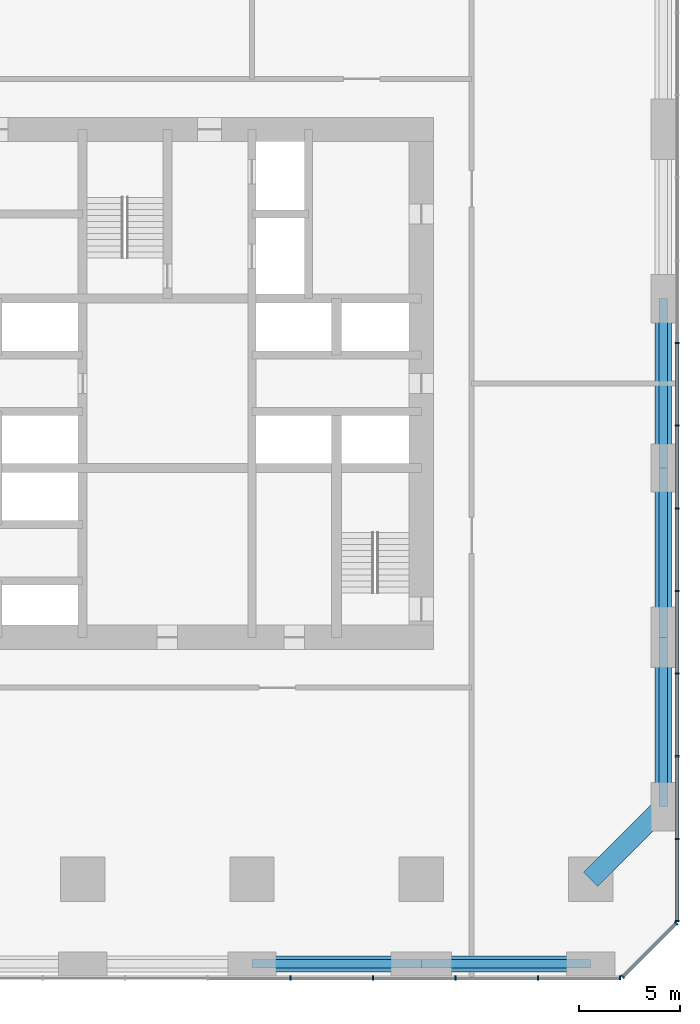
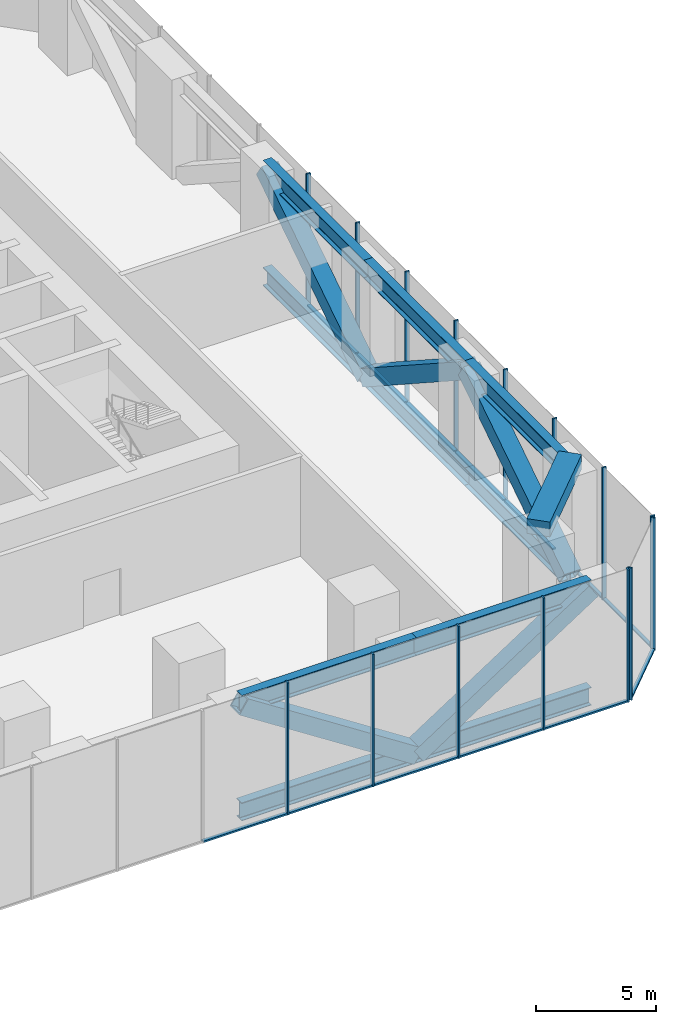
# One storey, part 4 of 10: 43 members, 1 beam, 3 elements without a shape of their own.
"""IFC4 building model written with IfcOpenShell, lengths in metres."""

import ifcopenshell
import ifcopenshell.guid

model = None  # the IFC model being written
_history = None  # IfcOwnerHistory: only IFC2X3 demands one
_inside = {}  # id of a spatial element -> (the spatial element, [elements in it])
_under = {}  # id of a project, library or spatial element -> (it, [spatial elements below it])
_declared = {}  # id of a project -> (the project, [libraries it declares])
_typed = {}  # id of a type object -> (the type object, [elements of that type])
_made_of = {}  # id of a material, layer set ... -> (it, [elements and type objects made of it])


def new_model(schema):
    """Start an empty IFC model of exactly this schema.

    Asked for "IFC4X3", IfcOpenShell would pick the latest addendum, in which some entities
    have other attributes; the version numbers below select the first issue.
    IFC2X3 requires an IfcOwnerHistory on every rooted entity: one is made here for all.
    """
    global model, _history
    if schema == "IFC4X3":
        model = ifcopenshell.file(schema_version=(4, 3, 0, 0))
    else:
        model = ifcopenshell.file(schema=schema)
    _inside.clear()
    _under.clear()
    _declared.clear()
    _typed.clear()
    _made_of.clear()
    _history = None
    if model.schema == "IFC2X3":
        org = make("IfcOrganization", Name="unknown")
        user = make(
            "IfcPersonAndOrganization",
            ThePerson=make("IfcPerson", FamilyName="unknown"),
            TheOrganization=org,
        )
        app = make(
            "IfcApplication",
            ApplicationDeveloper=org,
            Version="unknown",
            ApplicationFullName="unknown",
            ApplicationIdentifier="unknown",
        )
        _history = make(
            "IfcOwnerHistory",
            OwningUser=user,
            OwningApplication=app,
            ChangeAction="ADDED",
            CreationDate=0,
        )
    return model


def make(cls, **values):
    """One entity of the class cls with the attributes given. An attribute that is None is left unset."""
    return model.create_entity(
        cls, **{name: value for name, value in values.items() if value is not None}
    )


def rooted(cls, **values):
    """An entity with a GlobalId (a new one), such as an element, a storey or a relation."""
    return make(cls, GlobalId=ifcopenshell.guid.new(), OwnerHistory=_history, **values)


def si_unit(unit_type, name, prefix=None):
    """IfcSIUnit, for example si_unit("LENGTHUNIT", "METRE", prefix="MILLI")."""
    return make("IfcSIUnit", UnitType=unit_type, Prefix=prefix, Name=name)


def assignment(units):
    """IfcUnitAssignment: the units of a project."""
    return None if units is None else make("IfcUnitAssignment", Units=units)


def point(xyz):
    """IfcCartesianPoint."""
    return None if xyz is None else make("IfcCartesianPoint", Coordinates=xyz)


def direction(xyz):
    """IfcDirection."""
    return None if xyz is None else make("IfcDirection", DirectionRatios=xyz)


def frame(location, z_axis=None, x_axis=None):
    """IfcAxis2Placement3D, a coordinate frame: its origin and axes. An axis left out is left unset."""
    return make(
        "IfcAxis2Placement3D",
        Location=point(location),
        Axis=direction(z_axis),
        RefDirection=direction(x_axis),
    )


def frame_2d(location, x_axis=None):
    """IfcAxis2Placement2D, a coordinate frame in the plane: its origin and x axis."""
    return make(
        "IfcAxis2Placement2D", Location=point(location), RefDirection=direction(x_axis)
    )


def origin():
    """The frame at (0, 0, 0) with its axes left unset."""
    return frame((0.0, 0.0, 0.0))


def origin_2d():
    """The frame at (0, 0) in the plane with its x axis left unset."""
    return frame_2d((0.0, 0.0))


def place(relative_to, where):
    """IfcLocalPlacement: puts the frame where relative to a parent placement (None: the world)."""
    return make(
        "IfcLocalPlacement", PlacementRelTo=relative_to, RelativePlacement=where
    )


def context(
    kind, dimensions, precision=None, world=None, true_north=None, identifier=None
):
    """IfcGeometricRepresentationContext, for example the 3D "Model" context."""
    return make(
        "IfcGeometricRepresentationContext",
        ContextIdentifier=identifier,
        ContextType=kind,
        CoordinateSpaceDimension=dimensions,
        Precision=precision,
        WorldCoordinateSystem=world,
        TrueNorth=true_north,
    )


def subcontext(parent, identifier, kind, view, scale=None):
    """IfcGeometricRepresentationSubContext, for example "Body" below "Model"."""
    return make(
        "IfcGeometricRepresentationSubContext",
        ContextIdentifier=identifier,
        ContextType=kind,
        ParentContext=parent,
        TargetScale=scale,
        TargetView=view,
    )


def project(units=None, contexts=None):
    """IfcProject with its units and contexts."""
    return rooted(
        "IfcProject",
        Name="project",
        RepresentationContexts=contexts,
        UnitsInContext=assignment(units),
    )


def spatial(cls, under=None, at=None, **own):
    """A site, building, storey or space (cls), placed at a placement, below another one or the project."""
    s = rooted(cls, ObjectPlacement=at, **own)
    if under is not None:
        _under.setdefault(under.id(), (under, []))[1].append(s)
    return s


def profile(cls, at=None, kind="AREA", **sizes):
    """A parametric profile (cls). Its sizes go by their IFC names, for example OverallWidth=200.0."""
    return make(cls, ProfileType=kind, Position=at, **sizes)


def rectangle(**sizes):
    """IfcRectangleProfileDef."""
    return profile("IfcRectangleProfileDef", **sizes)


def hollow_rectangle(**sizes):
    """IfcRectangleHollowProfileDef."""
    return profile("IfcRectangleHollowProfileDef", **sizes)


def i_section(**sizes):
    """IfcIShapeProfileDef."""
    return profile("IfcIShapeProfileDef", **sizes)


def extrude(swept, where, along, depth):
    """IfcExtrudedAreaSolid: the profile swept, set in the frame where, extruded along a direction by depth."""
    return make(
        "IfcExtrudedAreaSolid",
        SweptArea=swept,
        Position=where,
        ExtrudedDirection=direction(along),
        Depth=depth,
    )


def shape(context_of_items, identifier, shape_type, items):
    """IfcShapeRepresentation: the items that make up one representation, for example the "Body"."""
    return make(
        "IfcShapeRepresentation",
        ContextOfItems=context_of_items,
        RepresentationIdentifier=identifier,
        RepresentationType=shape_type,
        Items=items,
    )


def material(Name=None, Category=None):
    """IfcMaterial."""
    return make("IfcMaterial", Name=Name, Category=Category)


def material_profile(
    of_material, cross_section, Name=None, Category=None, Priority=None
):
    """IfcMaterialProfile: a cross section and its material."""
    return make(
        "IfcMaterialProfile",
        Name=Name,
        Material=of_material,
        Profile=cross_section,
        Priority=Priority,
        Category=Category,
    )


def profile_set(profiles, Name=None, composite=None):
    """IfcMaterialProfileSet."""
    return make(
        "IfcMaterialProfileSet",
        Name=Name,
        MaterialProfiles=profiles,
        CompositeProfile=composite,
    )


def made_of(thing, what):
    """Note that an element or type object is made of a material, layer set ...; save() writes the relation."""
    if what is not None:
        _made_of.setdefault(what.id(), (what, []))[1].append(thing)
    return thing


def type_object(cls, material=None, **own):
    """A type object (cls), such as IfcWallType, which elements share."""
    return made_of(rooted(cls, **own), material)


def element(
    cls,
    number,
    at=None,
    inside=None,
    cuts=None,
    type_object=None,
    material=None,
    context=None,
    identifier="Body",
    shape_type=None,
    held_by="IfcProductDefinitionShape",
    body=None,
    shapes=None,
    **own,
):
    """One element of the class cls, such as IfcWall. Its Tag is "e" and its number.

    at: its placement. inside: the storey or other place that contains it. cuts: it is an
    opening in that element (IfcRelVoidsElement). A single representation is given by context,
    identifier, shape_type and body (its items); several are given by shapes. held_by: the class
    of the entity that holds the representations. save() writes the other relations.
    """
    e = rooted(cls, Tag="e%d" % number, ObjectPlacement=at, **own)
    if body is not None:
        shapes = [shape(context, identifier, shape_type, body)]
    if shapes is not None:
        e.Representation = make(held_by, Representations=shapes)
    if inside is not None:
        _inside.setdefault(inside.id(), (inside, []))[1].append(e)
    if cuts is not None:
        rooted(
            "IfcRelVoidsElement", RelatingBuildingElement=cuts, RelatedOpeningElement=e
        )
    if type_object is not None:
        _typed.setdefault(type_object.id(), (type_object, []))[1].append(e)
    return made_of(e, material)


def aggregate(whole, parts):
    """IfcRelAggregates: a whole, such as a stair, and the parts it consists of."""
    return rooted("IfcRelAggregates", RelatingObject=whole, RelatedObjects=parts)


def save(model, path):
    """Write the relations noted so far, then the file.

    IfcRelAggregates (storeys below a building ...), IfcRelContainedInSpatialStructure (elements
    in a storey), IfcRelDefinesByType, IfcRelAssociatesMaterial and IfcRelDeclares: one each for
    every whole, place, type object, material and project.
    """
    for whole, parts in _under.values():
        aggregate(whole, parts)
    for where, things in _inside.values():
        rooted(
            "IfcRelContainedInSpatialStructure",
            RelatedElements=things,
            RelatingStructure=where,
        )
    for kind, things in _typed.values():
        rooted("IfcRelDefinesByType", RelatedObjects=things, RelatingType=kind)
    for what, things in _made_of.values():
        rooted("IfcRelAssociatesMaterial", RelatedObjects=things, RelatingMaterial=what)
    for by, libraries in _declared.values():
        rooted("IfcRelDeclares", RelatingContext=by, RelatedDefinitions=libraries)
    model.write(path)


model = new_model("IFC4")

# Units and contexts
model_context = context("Model", 3, precision=1e-05, world=origin(), true_north=direction((0.0, 1.0)))
body_context = subcontext(model_context, "Body", "Model", "MODEL_VIEW")
ifc_project = project(units=[si_unit("LENGTHUNIT", "METRE"), si_unit("AREAUNIT", "SQUARE_METRE"), si_unit("VOLUMEUNIT", "CUBIC_METRE"), si_unit("PLANEANGLEUNIT", "RADIAN"), si_unit("MASSUNIT", "GRAM", prefix="KILO")], contexts=[model_context])

# Site, building, storey
site_placement = place(None, origin())
site = spatial("IfcSite", under=ifc_project, at=site_placement, CompositionType="ELEMENT")
building_placement = place(site_placement, origin())
building = spatial("IfcBuilding", under=site, at=building_placement, Name="Dunama Terrace Hotel", CompositionType="ELEMENT")
storey_placement = place(building_placement, frame((0.0, 0.0, 153.60009765625)))
storey = spatial("IfcBuildingStorey", under=building, at=storey_placement, Name="L39", CompositionType="ELEMENT", Elevation=153.60009765625)

# Members
ifc_material_1 = material(Name="Steel S355", Category="steel")
ifc_material_profile_1 = material_profile(ifc_material_1, hollow_rectangle(XDim=0.800048828125, YDim=0.800048828125, WallThickness=0.06005859375, at=origin_2d()), Name="BOX 800x800x60")
ifc_profile_set_1 = profile_set([ifc_material_profile_1], Name="Steel S355")
member_type_1 = type_object("IfcMemberType", Name="Brace BOX 800x800x60", PredefinedType="BRACE", material=ifc_profile_set_1)
member_1_placement = place(storey_placement, frame((54.0, 8.39990234375, -0.860595703125), z_axis=(0.0, 0.838906226141, 0.544275981229), x_axis=(-1.0, 0.0, 0.0)))
element("IfcMember", 1, at=member_1_placement, inside=storey, type_object=member_type_1, Name="Belt truss diagonal L39", PredefinedType="BRACE", context=body_context, shape_type="SweptSolid", body=[
    extrude(hollow_rectangle(XDim=0.800048828125, YDim=0.800048828125, WallThickness=0.06005859375, at=origin_2d()), origin(), (0.0, 0.0, 1.0), 10.01318359375),
])
member_2_placement = place(storey_placement, frame((54.0, 25.199951171875, -0.860595703125), z_axis=(0.0, -0.83889900313, 0.544287114075), x_axis=(1.0, 0.0, 0.0)))
element("IfcMember", 2, at=member_2_placement, inside=storey, type_object=member_type_1, Name="Belt truss diagonal L39", PredefinedType="BRACE", context=body_context, shape_type="SweptSolid", body=[
    extrude(hollow_rectangle(XDim=0.800048828125, YDim=0.800048828125, WallThickness=0.06005859375, at=origin_2d()), origin(), (0.0, 0.0, 1.0), 10.012939453125),
])
member_3_placement = place(storey_placement, frame((54.0, 25.199951171875, -0.860595703125), z_axis=(0.0, 0.838906226141, 0.544275981229), x_axis=(-1.0, 0.0, 0.0)))
element("IfcMember", 3, at=member_3_placement, inside=storey, type_object=member_type_1, Name="Belt truss diagonal L39", PredefinedType="BRACE", context=body_context, shape_type="SweptSolid", body=[
    extrude(hollow_rectangle(XDim=0.800048828125, YDim=0.800048828125, WallThickness=0.06005859375, at=origin_2d()), origin(), (0.0, 0.0, 1.0), 10.01318359375),
])
for number, where, z_axis, x_axis, name in (
    (4, (42.0, 0.60009765625, -0.860595703125), (-0.83889900313, 0.0, 0.544287114075), (0.0, -1.0, 0.0), "Belt truss diagonal L39"),
    (5, (42.0, 0.60009765625, -0.860595703125), (0.83889900313, 0.0, 0.544287114075), (0.0, 1.0, 0.0), "Belt truss diagonal L39"),
):
    element("IfcMember", number, at=place(storey_placement, frame(where, z_axis=z_axis, x_axis=x_axis)), inside=storey, type_object=member_type_1, Name=name, PredefinedType="BRACE", context=body_context, shape_type="SweptSolid", body=[
        extrude(hollow_rectangle(XDim=0.800048828125, YDim=0.800048828125, WallThickness=0.06005859375, at=origin_2d()), origin(), (0.0, 0.0, 1.0), 10.012939453125),
    ])

# Curtain wall, members
ifc_material_2 = material(Name="Aluminium curtain wall system", Category="aluminium")
curtain_wall_type = type_object("IfcCurtainWallType", Name="Plant floor louvred glazing CW-G", PredefinedType="NOTDEFINED", material=ifc_material_2)
curtain_wall_1_placement = place(storey_placement, origin())
curtain_wall_1 = element("IfcCurtainWall", 6, at=curtain_wall_1_placement, inside=storey, type_object=curtain_wall_type, Name="Plant floor louvred glazing CW-G L39", PredefinedType="NOTDEFINED")
ifc_material_3 = material(Name="Aluminium mullion", Category="aluminium")
ifc_material_profile_2 = material_profile(ifc_material_3, rectangle(XDim=0.074951171875, YDim=0.199951171875, at=origin_2d()), Name="CWG MULLION 75X200")
ifc_profile_set_2 = profile_set([ifc_material_profile_2], Name="Aluminium mullion")
member_type_2 = type_object("IfcMemberType", Name="CWG mullion 75x200", PredefinedType="MULLION", material=ifc_profile_set_2)
member_4_placement = place(storey_placement, frame((35.5, -0.10009765625, -1.321044921875), z_axis=(0.0, 0.0, 1.0), x_axis=(1.0, 0.0, 0.0)))
member_4 = element("IfcMember", 7, at=member_4_placement, type_object=member_type_2, Name="CWG mullion", PredefinedType="MULLION", context=body_context, shape_type="SweptSolid", body=[
    extrude(rectangle(XDim=0.074951171875, YDim=0.199951171875, at=origin_2d()), origin(), (0.0, 0.0, 1.0), 6.720947265625),
])
member_5_placement = place(storey_placement, frame((39.60009765625, -0.10009765625, -1.321044921875), z_axis=(0.0, 0.0, 1.0), x_axis=(1.0, 0.0, 0.0)))
member_5 = element("IfcMember", 8, at=member_5_placement, type_object=member_type_2, Name="CWG mullion", PredefinedType="MULLION", context=body_context, shape_type="SweptSolid", body=[
    extrude(rectangle(XDim=0.074951171875, YDim=0.199951171875, at=origin_2d()), origin(), (0.0, 0.0, 1.0), 6.720947265625),
])
member_6_placement = place(storey_placement, frame((43.699951171875, -0.10009765625, -1.321044921875), z_axis=(0.0, 0.0, 1.0), x_axis=(1.0, 0.0, 0.0)))
member_6 = element("IfcMember", 9, at=member_6_placement, type_object=member_type_2, Name="CWG mullion", PredefinedType="MULLION", context=body_context, shape_type="SweptSolid", body=[
    extrude(rectangle(XDim=0.074951171875, YDim=0.199951171875, at=origin_2d()), origin(), (0.0, 0.0, 1.0), 6.720947265625),
])
member_7_placement = place(storey_placement, frame((47.800048828125, -0.10009765625, -1.321044921875), z_axis=(0.0, 0.0, 1.0), x_axis=(1.0, 0.0, 0.0)))
member_7 = element("IfcMember", 10, at=member_7_placement, type_object=member_type_2, Name="CWG mullion", PredefinedType="MULLION", context=body_context, shape_type="SweptSolid", body=[
    extrude(rectangle(XDim=0.074951171875, YDim=0.199951171875, at=origin_2d()), origin(), (0.0, 0.0, 1.0), 6.720947265625),
])
member_8_placement = place(storey_placement, frame((51.862060546875, -0.10009765625, -1.321044921875), z_axis=(0.0, 0.0, 1.0), x_axis=(1.0, 0.0, 0.0)))
member_8 = element("IfcMember", 11, at=member_8_placement, type_object=member_type_2, Name="CWG mullion", PredefinedType="MULLION", context=body_context, shape_type="SweptSolid", body=[
    extrude(rectangle(XDim=0.074951171875, YDim=0.199951171875, at=origin_2d()), origin(), (0.0, 0.0, 1.0), 6.720947265625),
])

curtain_wall_2_placement = place(storey_placement, origin())
curtain_wall_2 = element("IfcCurtainWall", 12, at=curtain_wall_2_placement, inside=storey, type_object=curtain_wall_type, Name="Plant floor louvred glazing CW-G L39", PredefinedType="NOTDEFINED")
member_9_placement = place(storey_placement, frame((51.9970703125, -0.0439453125, -1.321044921875), z_axis=(0.0, 0.0, 1.0), x_axis=(0.707106781187, 0.707106781187, 0.0)))
member_9 = element("IfcMember", 13, at=member_9_placement, type_object=member_type_2, Name="CWG mullion", PredefinedType="MULLION", context=body_context, shape_type="SweptSolid", body=[
    extrude(rectangle(XDim=0.074951171875, YDim=0.199951171875, at=origin_2d()), origin(), (0.0, 0.0, 1.0), 6.720947265625),
])
member_10_placement = place(storey_placement, frame((54.64404296875, 2.60302734375, -1.321044921875), z_axis=(0.0, 0.0, 1.0), x_axis=(0.707106781187, 0.707106781187, 0.0)))
member_10 = element("IfcMember", 14, at=member_10_placement, type_object=member_type_2, Name="CWG mullion", PredefinedType="MULLION", context=body_context, shape_type="SweptSolid", body=[
    extrude(rectangle(XDim=0.074951171875, YDim=0.199951171875, at=origin_2d()), origin(), (0.0, 0.0, 1.0), 6.720947265625),
])

curtain_wall_3_placement = place(storey_placement, origin())
curtain_wall_3 = element("IfcCurtainWall", 15, at=curtain_wall_3_placement, inside=storey, type_object=curtain_wall_type, Name="Plant floor louvred glazing CW-G L39", PredefinedType="NOTDEFINED")
member_11_placement = place(storey_placement, frame((54.699951171875, 2.738037109375, -1.321044921875), z_axis=(0.0, 0.0, 1.0), x_axis=(0.0, 1.0, 0.0)))
member_11 = element("IfcMember", 16, at=member_11_placement, type_object=member_type_2, Name="CWG mullion", PredefinedType="MULLION", context=body_context, shape_type="SweptSolid", body=[
    extrude(rectangle(XDim=0.074951171875, YDim=0.199951171875, at=origin_2d()), origin(), (0.0, 0.0, 1.0), 6.720947265625),
])
member_12_placement = place(storey_placement, frame((54.699951171875, 6.800048828125, -1.321044921875), z_axis=(0.0, 0.0, 1.0), x_axis=(0.0, 1.0, 0.0)))
member_12 = element("IfcMember", 17, at=member_12_placement, type_object=member_type_2, Name="CWG mullion", PredefinedType="MULLION", context=body_context, shape_type="SweptSolid", body=[
    extrude(rectangle(XDim=0.074951171875, YDim=0.199951171875, at=origin_2d()), origin(), (0.0, 0.0, 1.0), 6.720947265625),
])
member_13_placement = place(storey_placement, frame((54.699951171875, 10.89990234375, -1.321044921875), z_axis=(0.0, 0.0, 1.0), x_axis=(0.0, 1.0, 0.0)))
member_13 = element("IfcMember", 18, at=member_13_placement, type_object=member_type_2, Name="CWG mullion", PredefinedType="MULLION", context=body_context, shape_type="SweptSolid", body=[
    extrude(rectangle(XDim=0.074951171875, YDim=0.199951171875, at=origin_2d()), origin(), (0.0, 0.0, 1.0), 6.720947265625),
])
member_14_placement = place(storey_placement, frame((54.699951171875, 15.0, -1.321044921875), z_axis=(0.0, 0.0, 1.0), x_axis=(0.0, 1.0, 0.0)))
member_14 = element("IfcMember", 19, at=member_14_placement, type_object=member_type_2, Name="CWG mullion", PredefinedType="MULLION", context=body_context, shape_type="SweptSolid", body=[
    extrude(rectangle(XDim=0.074951171875, YDim=0.199951171875, at=origin_2d()), origin(), (0.0, 0.0, 1.0), 6.720947265625),
])
member_15_placement = place(storey_placement, frame((54.699951171875, 19.10009765625, -1.321044921875), z_axis=(0.0, 0.0, 1.0), x_axis=(0.0, 1.0, 0.0)))
member_15 = element("IfcMember", 20, at=member_15_placement, type_object=member_type_2, Name="CWG mullion", PredefinedType="MULLION", context=body_context, shape_type="SweptSolid", body=[
    extrude(rectangle(XDim=0.074951171875, YDim=0.199951171875, at=origin_2d()), origin(), (0.0, 0.0, 1.0), 6.720947265625),
])
member_16_placement = place(storey_placement, frame((54.699951171875, 23.199951171875, -1.321044921875), z_axis=(0.0, 0.0, 1.0), x_axis=(0.0, 1.0, 0.0)))
member_16 = element("IfcMember", 21, at=member_16_placement, type_object=member_type_2, Name="CWG mullion", PredefinedType="MULLION", context=body_context, shape_type="SweptSolid", body=[
    extrude(rectangle(XDim=0.074951171875, YDim=0.199951171875, at=origin_2d()), origin(), (0.0, 0.0, 1.0), 6.720947265625),
])
member_17_placement = place(storey_placement, frame((54.699951171875, 27.300048828125, -1.321044921875), z_axis=(0.0, 0.0, 1.0), x_axis=(0.0, 1.0, 0.0)))
member_17 = element("IfcMember", 22, at=member_17_placement, type_object=member_type_2, Name="CWG mullion", PredefinedType="MULLION", context=body_context, shape_type="SweptSolid", body=[
    extrude(rectangle(XDim=0.074951171875, YDim=0.199951171875, at=origin_2d()), origin(), (0.0, 0.0, 1.0), 6.720947265625),
])
member_18_placement = place(storey_placement, frame((54.699951171875, 31.39990234375, -1.321044921875), z_axis=(0.0, 0.0, 1.0), x_axis=(0.0, 1.0, 0.0)))
member_18 = element("IfcMember", 23, at=member_18_placement, type_object=member_type_2, Name="CWG mullion", PredefinedType="MULLION", context=body_context, shape_type="SweptSolid", body=[
    extrude(rectangle(XDim=0.074951171875, YDim=0.199951171875, at=origin_2d()), origin(), (0.0, 0.0, 1.0), 6.720947265625),
])

# Member
ifc_material_4 = material(Name="Aluminium transom", Category="aluminium")
ifc_material_profile_3 = material_profile(ifc_material_4, rectangle(XDim=0.159912109375, YDim=0.0849609375, at=origin_2d()), Name="CWG TRANSOM 160X85")
ifc_profile_set_3 = profile_set([ifc_material_profile_3], Name="Aluminium transom")
member_type_3 = type_object("IfcMemberType", Name="CWG transom 160x85", PredefinedType="USERDEFINED", material=ifc_profile_set_3)
member_19_placement = place(storey_placement, frame((31.43701171875, -0.10009765625, -1.278564453125), z_axis=(1.0, 0.0, 0.0), x_axis=(0.0, 1.0, 0.0)))
member_19 = element("IfcMember", 24, at=member_19_placement, type_object=member_type_3, Name="CWG transom", ObjectType="TRANSOM", PredefinedType="USERDEFINED", context=body_context, shape_type="SweptSolid", body=[
    extrude(rectangle(XDim=0.159912109375, YDim=0.0849609375, at=origin_2d()), origin(), (0.0, 0.0, 1.0), 4.02490234375),
])

member_20_placement = place(storey_placement, frame((35.5380859375, -0.10009765625, -1.278564453125), z_axis=(1.0, 0.0, 0.0), x_axis=(0.0, 1.0, 0.0)))
member_20 = element("IfcMember", 25, at=member_20_placement, type_object=member_type_3, Name="CWG transom", ObjectType="TRANSOM", PredefinedType="USERDEFINED", context=body_context, shape_type="SweptSolid", body=[
    extrude(rectangle(XDim=0.159912109375, YDim=0.0849609375, at=origin_2d()), origin(), (0.0, 0.0, 1.0), 4.02392578125),
])

member_21_placement = place(storey_placement, frame((39.637939453125, -0.10009765625, -1.278564453125), z_axis=(1.0, 0.0, 0.0), x_axis=(0.0, 1.0, 0.0)))
member_21 = element("IfcMember", 26, at=member_21_placement, type_object=member_type_3, Name="CWG transom", ObjectType="TRANSOM", PredefinedType="USERDEFINED", context=body_context, shape_type="SweptSolid", body=[
    extrude(rectangle(XDim=0.159912109375, YDim=0.0849609375, at=origin_2d()), origin(), (0.0, 0.0, 1.0), 4.025146484375),
])

member_22_placement = place(storey_placement, frame((43.738037109375, -0.10009765625, -1.278564453125), z_axis=(1.0, 0.0, 0.0), x_axis=(0.0, 1.0, 0.0)))
member_22 = element("IfcMember", 27, at=member_22_placement, type_object=member_type_3, Name="CWG transom", ObjectType="TRANSOM", PredefinedType="USERDEFINED", context=body_context, shape_type="SweptSolid", body=[
    extrude(rectangle(XDim=0.159912109375, YDim=0.0849609375, at=origin_2d()), origin(), (0.0, 0.0, 1.0), 4.02392578125),
])

member_23_placement = place(storey_placement, frame((47.8369140625, -0.10009765625, -1.278564453125), z_axis=(1.0, 0.0, 0.0), x_axis=(0.0, 1.0, 0.0)))
member_23 = element("IfcMember", 28, at=member_23_placement, type_object=member_type_3, Name="CWG transom", ObjectType="TRANSOM", PredefinedType="USERDEFINED", context=body_context, shape_type="SweptSolid", body=[
    extrude(rectangle(XDim=0.159912109375, YDim=0.0849609375, at=origin_2d()), origin(), (0.0, 0.0, 1.0), 3.988037109375),
])

aggregate(curtain_wall_1, [member_4, member_5, member_6, member_7, member_8, member_19, member_20, member_21, member_22, member_23])

member_24_placement = place(storey_placement, frame((52.02392578125, -0.01806640625, -1.278564453125), z_axis=(0.707106781187, 0.707106781187, 0.0), x_axis=(-0.707106781187, 0.707106781187, 0.0)))
member_24 = element("IfcMember", 29, at=member_24_placement, type_object=member_type_3, Name="CWG transom", ObjectType="TRANSOM", PredefinedType="USERDEFINED", context=body_context, shape_type="SweptSolid", body=[
    extrude(rectangle(XDim=0.159912109375, YDim=0.0849609375, at=origin_2d()), origin(), (0.0, 0.0, 1.0), 3.66845703125),
])

aggregate(curtain_wall_2, [member_9, member_10, member_24])

member_25_placement = place(storey_placement, frame((54.699951171875, 2.77490234375, -1.278564453125), z_axis=(0.0, 1.0, 0.0), x_axis=(-1.0, 0.0, 0.0)))
member_25 = element("IfcMember", 30, at=member_25_placement, type_object=member_type_3, Name="CWG transom", ObjectType="TRANSOM", PredefinedType="USERDEFINED", context=body_context, shape_type="SweptSolid", body=[
    extrude(rectangle(XDim=0.159912109375, YDim=0.0849609375, at=origin_2d()), origin(), (0.0, 0.0, 1.0), 3.988037109375),
])

member_26_placement = place(storey_placement, frame((54.699951171875, 6.8369140625, -1.278564453125), z_axis=(0.0, 1.0, 0.0), x_axis=(-1.0, 0.0, 0.0)))
member_26 = element("IfcMember", 31, at=member_26_placement, type_object=member_type_3, Name="CWG transom", ObjectType="TRANSOM", PredefinedType="USERDEFINED", context=body_context, shape_type="SweptSolid", body=[
    extrude(rectangle(XDim=0.159912109375, YDim=0.0849609375, at=origin_2d()), origin(), (0.0, 0.0, 1.0), 4.026123046875),
])

member_27_placement = place(storey_placement, frame((54.699951171875, 10.93798828125, -1.278564453125), z_axis=(0.0, 1.0, 0.0), x_axis=(-1.0, 0.0, 0.0)))
member_27 = element("IfcMember", 32, at=member_27_placement, type_object=member_type_3, Name="CWG transom", ObjectType="TRANSOM", PredefinedType="USERDEFINED", context=body_context, shape_type="SweptSolid", body=[
    extrude(rectangle(XDim=0.159912109375, YDim=0.0849609375, at=origin_2d()), origin(), (0.0, 0.0, 1.0), 4.02392578125),
])

member_28_placement = place(storey_placement, frame((54.699951171875, 15.037109375, -1.278564453125), z_axis=(0.0, 1.0, 0.0), x_axis=(-1.0, 0.0, 0.0)))
member_28 = element("IfcMember", 33, at=member_28_placement, type_object=member_type_3, Name="CWG transom", ObjectType="TRANSOM", PredefinedType="USERDEFINED", context=body_context, shape_type="SweptSolid", body=[
    extrude(rectangle(XDim=0.159912109375, YDim=0.0849609375, at=origin_2d()), origin(), (0.0, 0.0, 1.0), 4.02490234375),
])

member_29_placement = place(storey_placement, frame((54.699951171875, 19.136962890625, -1.278564453125), z_axis=(0.0, 1.0, 0.0), x_axis=(-1.0, 0.0, 0.0)))
member_29 = element("IfcMember", 34, at=member_29_placement, type_object=member_type_3, Name="CWG transom", ObjectType="TRANSOM", PredefinedType="USERDEFINED", context=body_context, shape_type="SweptSolid", body=[
    extrude(rectangle(XDim=0.159912109375, YDim=0.0849609375, at=origin_2d()), origin(), (0.0, 0.0, 1.0), 4.025146484375),
])

member_30_placement = place(storey_placement, frame((54.699951171875, 23.238037109375, -1.278564453125), z_axis=(0.0, 1.0, 0.0), x_axis=(-1.0, 0.0, 0.0)))
member_30 = element("IfcMember", 35, at=member_30_placement, type_object=member_type_3, Name="CWG transom", ObjectType="TRANSOM", PredefinedType="USERDEFINED", context=body_context, shape_type="SweptSolid", body=[
    extrude(rectangle(XDim=0.159912109375, YDim=0.0849609375, at=origin_2d()), origin(), (0.0, 0.0, 1.0), 4.02392578125),
])

member_31_placement = place(storey_placement, frame((54.699951171875, 27.3369140625, -1.278564453125), z_axis=(0.0, 1.0, 0.0), x_axis=(-1.0, 0.0, 0.0)))
member_31 = element("IfcMember", 36, at=member_31_placement, type_object=member_type_3, Name="CWG transom", ObjectType="TRANSOM", PredefinedType="USERDEFINED", context=body_context, shape_type="SweptSolid", body=[
    extrude(rectangle(XDim=0.159912109375, YDim=0.0849609375, at=origin_2d()), origin(), (0.0, 0.0, 1.0), 4.025146484375),
])

aggregate(curtain_wall_3, [member_11, member_12, member_13, member_14, member_15, member_16, member_17, member_18, member_25, member_26, member_27, member_28, member_29, member_30, member_31])

# Beam
ifc_material_5 = material(Name="Concrete C50/60", Category="concrete")
ifc_material_profile_4 = material_profile(ifc_material_5, rectangle(XDim=1.0, YDim=0.75, at=origin_2d()), Name="RC 1000x750")
ifc_profile_set_4 = profile_set([ifc_material_profile_4], Name="Concrete C50/60")
beam_type = type_object("IfcBeamType", Name="Edge beam RC 1000x750", PredefinedType="SPANDREL", material=ifc_profile_set_4)
beam_placement = place(storey_placement, frame((50.39990234375, 4.800048828125, 5.02490234375), z_axis=(0.707130757816, 0.707082803744, 0.0), x_axis=(-0.707082803744, 0.707130757816, 0.0)))
element("IfcBeam", 37, at=beam_placement, inside=storey, type_object=beam_type, Name="Corner edge beam under L40", PredefinedType="SPANDREL", context=body_context, shape_type="SweptSolid", body=[
    extrude(rectangle(XDim=1.0, YDim=0.75, at=origin_2d()), origin(), (0.0, 0.0, 1.0), 5.091064453125),
])

# Members
ifc_material_6 = material(Name="Steel S355", Category="steel")
ifc_material_profile_5 = material_profile(ifc_material_6, i_section(OverallWidth=0.42041015625, OverallDepth=0.9208984375, WebThickness=0.021484375, FlangeThickness=0.03662109375, FilletRadius=0.024169921875, at=origin_2d()), Name="UB 914x419x388")
ifc_profile_set_5 = profile_set([ifc_material_profile_5], Name="Steel S355")
member_type_4 = type_object("IfcMemberType", Name="Truss member UB 914x419x388", PredefinedType="CHORD", material=ifc_profile_set_5)
for number, where, z_axis, x_axis, name in (
    (38, (54.0, 8.39990234375, 4.58935546875), (0.0, 1.0, 0.0), (-1.0, 0.0, 0.0), "Belt truss top chord L39"),
    (39, (54.0, 8.39990234375, -0.860595703125), (0.0, 1.0, 0.0), (-1.0, 0.0, 0.0), "Belt truss bottom chord L39"),
):
    element("IfcMember", number, at=place(storey_placement, frame(where, z_axis=z_axis, x_axis=x_axis)), inside=storey, type_object=member_type_4, Name=name, PredefinedType="CHORD", context=body_context, shape_type="SweptSolid", body=[
        extrude(i_section(OverallWidth=0.42041015625, OverallDepth=0.9208984375, WebThickness=0.021484375, FlangeThickness=0.03662109375, FilletRadius=0.024169921875, at=origin_2d()), origin(), (0.0, 0.0, 1.0), 8.400146484375),
    ])
for number, where, z_axis, x_axis, name in (
    (40, (54.0, 16.800048828125, 4.58935546875), (0.0, 1.0, 0.0), (-1.0, 0.0, 0.0), "Belt truss top chord L39"),
    (41, (54.0, 16.800048828125, -0.860595703125), (0.0, 1.0, 0.0), (-1.0, 0.0, 0.0), "Belt truss bottom chord L39"),
):
    element("IfcMember", number, at=place(storey_placement, frame(where, z_axis=z_axis, x_axis=x_axis)), inside=storey, type_object=member_type_4, Name=name, PredefinedType="CHORD", context=body_context, shape_type="SweptSolid", body=[
        extrude(i_section(OverallWidth=0.42041015625, OverallDepth=0.9208984375, WebThickness=0.021484375, FlangeThickness=0.03662109375, FilletRadius=0.024169921875, at=origin_2d()), origin(), (0.0, 0.0, 1.0), 8.39990234375),
    ])
for number, where, z_axis, x_axis, name in (
    (42, (54.0, 25.199951171875, 4.58935546875), (0.0, 1.0, 0.0), (-1.0, 0.0, 0.0), "Belt truss top chord L39"),
    (43, (54.0, 25.199951171875, -0.860595703125), (0.0, 1.0, 0.0), (-1.0, 0.0, 0.0), "Belt truss bottom chord L39"),
):
    element("IfcMember", number, at=place(storey_placement, frame(where, z_axis=z_axis, x_axis=x_axis)), inside=storey, type_object=member_type_4, Name=name, PredefinedType="CHORD", context=body_context, shape_type="SweptSolid", body=[
        extrude(i_section(OverallWidth=0.42041015625, OverallDepth=0.9208984375, WebThickness=0.021484375, FlangeThickness=0.03662109375, FilletRadius=0.024169921875, at=origin_2d()), origin(), (0.0, 0.0, 1.0), 8.400146484375),
    ])
for number, where, z_axis, x_axis, name in (
    (44, (33.60009765625, 0.60009765625, 4.58935546875), (1.0, 0.0, 0.0), (0.0, 1.0, 0.0), "Belt truss top chord L39"),
    (45, (33.60009765625, 0.60009765625, -0.860595703125), (1.0, 0.0, 0.0), (0.0, 1.0, 0.0), "Belt truss bottom chord L39"),
    (46, (42.0, 0.60009765625, 4.58935546875), (1.0, 0.0, 0.0), (0.0, 1.0, 0.0), "Belt truss top chord L39"),
    (47, (42.0, 0.60009765625, -0.860595703125), (1.0, 0.0, 0.0), (0.0, 1.0, 0.0), "Belt truss bottom chord L39"),
):
    element("IfcMember", number, at=place(storey_placement, frame(where, z_axis=z_axis, x_axis=x_axis)), inside=storey, type_object=member_type_4, Name=name, PredefinedType="CHORD", context=body_context, shape_type="SweptSolid", body=[
        extrude(i_section(OverallWidth=0.42041015625, OverallDepth=0.9208984375, WebThickness=0.021484375, FlangeThickness=0.03662109375, FilletRadius=0.024169921875, at=origin_2d()), origin(), (0.0, 0.0, 1.0), 8.39990234375),
    ])

save(model, "model.ifc")
